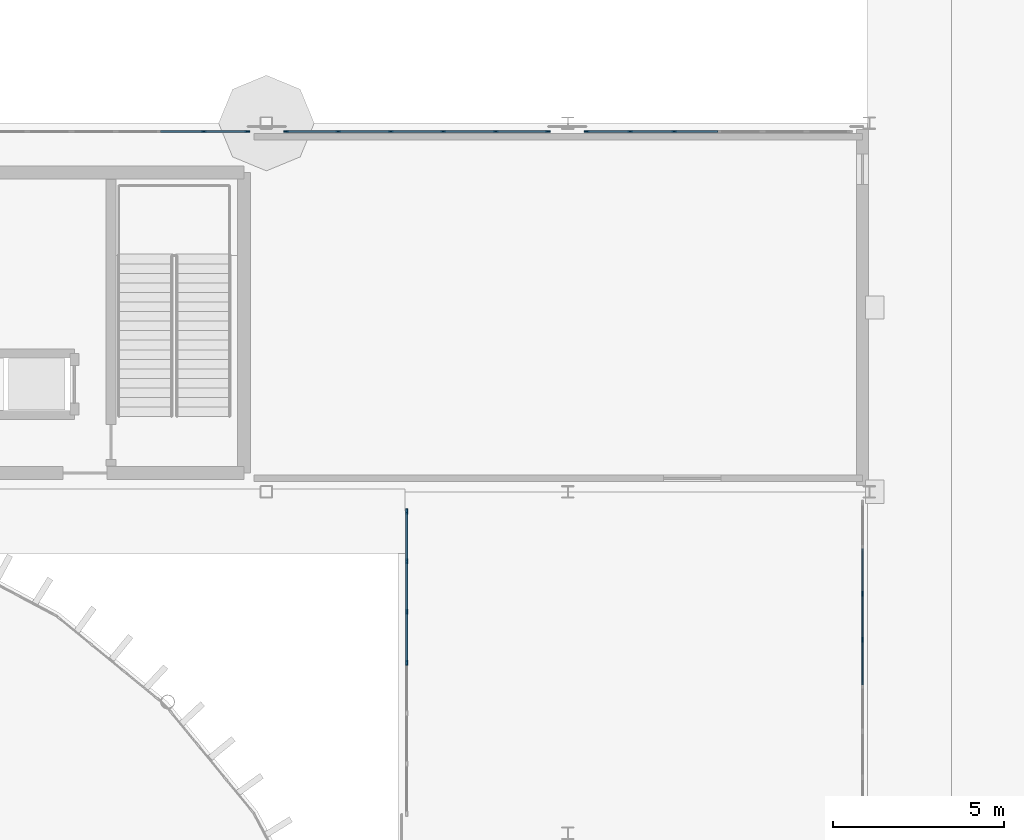
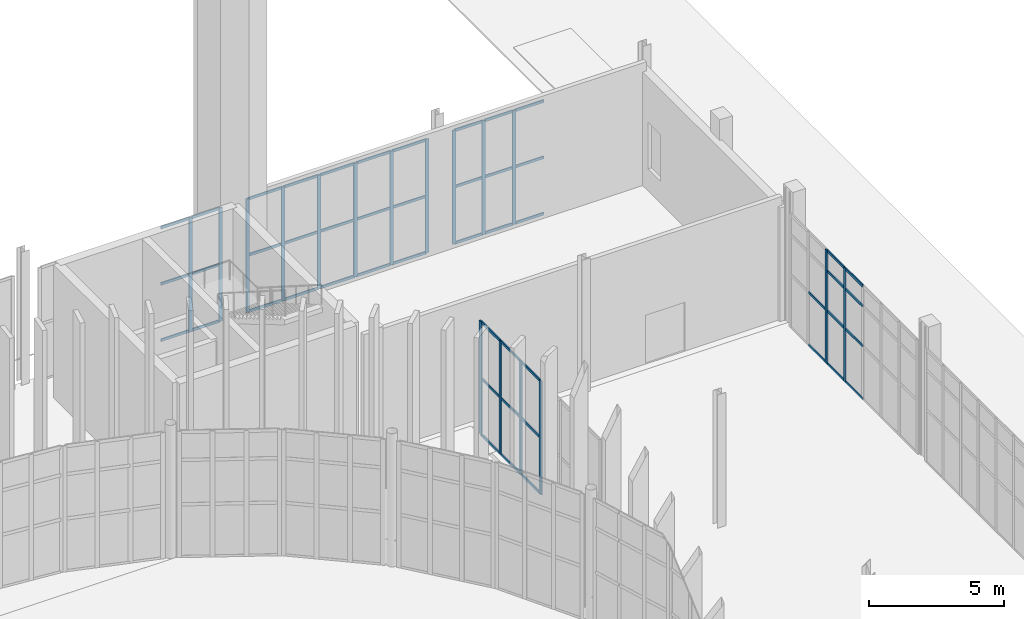
# One storey, part 64 of 139: 66 members, 5 elements without a shape of their own.
"""IFC4 building model written with IfcOpenShell, lengths in metres."""

from ifc_helpers import new_model, si_unit, direction, frame, origin, origin_2d, place, context, subcontext, project, spatial, rectangle, extrude, material, layer, layer_set, material_profile, profile_set, type_object, element, aggregate, save


model = new_model("IFC4")

# Units and contexts
model_context = context("Model", 3, precision=1e-05, world=origin(), true_north=direction((0.0, 1.0)))
body_context = subcontext(model_context, "Body", "Model", "MODEL_VIEW")
ifc_project = project(units=[si_unit("LENGTHUNIT", "METRE"), si_unit("AREAUNIT", "SQUARE_METRE"), si_unit("VOLUMEUNIT", "CUBIC_METRE"), si_unit("PLANEANGLEUNIT", "RADIAN"), si_unit("MASSUNIT", "GRAM", prefix="KILO")], contexts=[model_context])

# Site, building, storey
site_placement = place(None, origin())
site = spatial("IfcSite", under=ifc_project, at=site_placement, CompositionType="ELEMENT")
building_placement = place(site_placement, origin())
building = spatial("IfcBuilding", under=site, at=building_placement, Name="Yeouljin Market Hall", CompositionType="ELEMENT")
storey_placement = place(building_placement, origin())
storey = spatial("IfcBuildingStorey", under=building, at=storey_placement, Name="L00", CompositionType="ELEMENT", Elevation=0.0)

# Curtain wall, members
ifc_material_1 = material(Name="Thermally Broken Aluminium", Category="aluminium")
ifc_layer = layer(ifc_material_1, 0.14990234375)
ifc_layer_set = layer_set([ifc_layer], Name="Thermally Broken Aluminium")
curtain_wall_type = type_object("IfcCurtainWallType", Name="CW_WingStorefront_System", PredefinedType="USERDEFINED", material=ifc_layer_set)
curtain_wall_1_placement = place(storey_placement, origin())
curtain_wall_1 = element("IfcCurtainWall", 1, at=curtain_wall_1_placement, inside=storey, type_object=curtain_wall_type, Name="Curtain wall CW-V3E-L00-2", ObjectType="CURTAIN WALL", PredefinedType="USERDEFINED")
ifc_material_2 = material(Name="Thermally Broken Aluminium", Category="aluminium")
ifc_material_profile_1 = material_profile(ifc_material_2, rectangle(XDim=0.048095703125, YDim=0.14990234375, at=origin_2d()), Name="CW-MULL-48x150")
ifc_profile_set_1 = profile_set([ifc_material_profile_1], Name="Thermally Broken Aluminium")
member_type_1 = type_object("IfcMemberType", Name="CWMullion_48x150", PredefinedType="MULLION", material=ifc_profile_set_1)
member_1_placement = place(storey_placement, frame((176.199951171875, 75.014404296875, 0.0), z_axis=(0.0, 0.0, 1.0), x_axis=(1.0, 0.0, 0.0)))
member_1 = element("IfcMember", 2, at=member_1_placement, type_object=member_type_1, Name="CW-04 mullion 3", PredefinedType="MULLION", context=body_context, shape_type="SweptSolid", body=[
    extrude(rectangle(XDim=0.048095703125, YDim=0.14990234375, at=origin_2d()), origin(), (0.0, 0.0, 1.0), 5.1201171875),
])
member_2_placement = place(storey_placement, frame((176.199951171875, 73.67138671875, 0.0), z_axis=(0.0, 0.0, 1.0), x_axis=(1.0, 0.0, 0.0)))
member_2 = element("IfcMember", 3, at=member_2_placement, type_object=member_type_1, Name="CW-04 mullion 4", PredefinedType="MULLION", context=body_context, shape_type="SweptSolid", body=[
    extrude(rectangle(XDim=0.048095703125, YDim=0.14990234375, at=origin_2d()), origin(), (0.0, 0.0, 1.0), 5.1201171875),
])

curtain_wall_2_placement = place(storey_placement, origin())
curtain_wall_2 = element("IfcCurtainWall", 4, at=curtain_wall_2_placement, inside=storey, type_object=curtain_wall_type, Name="Curtain wall CW-CRT-L00-10", ObjectType="CURTAIN WALL", PredefinedType="USERDEFINED")
member_3_placement = place(storey_placement, frame((156.908447265625, 88.550048828125, 0.0), z_axis=(0.0, 0.0, 1.0), x_axis=(0.0, 1.0, 0.0)))
member_3 = element("IfcMember", 5, at=member_3_placement, type_object=member_type_1, Name="CW-04 mullion 6", PredefinedType="MULLION", context=body_context, shape_type="SweptSolid", body=[
    extrude(rectangle(XDim=0.048095703125, YDim=0.14990234375, at=origin_2d()), origin(), (0.0, 0.0, 1.0), 5.1201171875),
])
member_4_placement = place(storey_placement, frame((158.176025390625, 88.550048828125, 0.0), z_axis=(0.0, 0.0, 1.0), x_axis=(0.0, 1.0, 0.0)))
member_4 = element("IfcMember", 6, at=member_4_placement, type_object=member_type_1, Name="CW-04 mullion 7", PredefinedType="MULLION", context=body_context, shape_type="SweptSolid", body=[
    extrude(rectangle(XDim=0.048095703125, YDim=0.14990234375, at=origin_2d()), origin(), (0.0, 0.0, 1.0), 5.1201171875),
])

curtain_wall_3_placement = place(storey_placement, origin())
curtain_wall_3 = element("IfcCurtainWall", 7, at=curtain_wall_3_placement, inside=storey, type_object=curtain_wall_type, Name="Curtain wall CW-CRT-L00-11", ObjectType="CURTAIN WALL", PredefinedType="USERDEFINED")
member_5_placement = place(storey_placement, frame((159.323974609375, 88.550048828125, 0.0), z_axis=(0.0, 0.0, 1.0), x_axis=(0.0, 1.0, 0.0)))
member_5 = element("IfcMember", 8, at=member_5_placement, type_object=member_type_1, Name="CW-04 mullion 1", PredefinedType="MULLION", context=body_context, shape_type="SweptSolid", body=[
    extrude(rectangle(XDim=0.048095703125, YDim=0.14990234375, at=origin_2d()), origin(), (0.0, 0.0, 1.0), 5.1201171875),
])
member_6_placement = place(storey_placement, frame((160.840087890625, 88.550048828125, 0.0), z_axis=(0.0, 0.0, 1.0), x_axis=(0.0, 1.0, 0.0)))
member_6 = element("IfcMember", 9, at=member_6_placement, type_object=member_type_1, Name="CW-04 mullion 2", PredefinedType="MULLION", context=body_context, shape_type="SweptSolid", body=[
    extrude(rectangle(XDim=0.048095703125, YDim=0.14990234375, at=origin_2d()), origin(), (0.0, 0.0, 1.0), 5.1201171875),
])
member_7_placement = place(storey_placement, frame((162.3798828125, 88.550048828125, 0.0), z_axis=(0.0, 0.0, 1.0), x_axis=(0.0, 1.0, 0.0)))
member_7 = element("IfcMember", 10, at=member_7_placement, type_object=member_type_1, Name="CW-04 mullion 3", PredefinedType="MULLION", context=body_context, shape_type="SweptSolid", body=[
    extrude(rectangle(XDim=0.048095703125, YDim=0.14990234375, at=origin_2d()), origin(), (0.0, 0.0, 1.0), 5.1201171875),
])
member_8_placement = place(storey_placement, frame((163.919921875, 88.550048828125, 0.0), z_axis=(0.0, 0.0, 1.0), x_axis=(0.0, 1.0, 0.0)))
member_8 = element("IfcMember", 11, at=member_8_placement, type_object=member_type_1, Name="CW-04 mullion 4", PredefinedType="MULLION", context=body_context, shape_type="SweptSolid", body=[
    extrude(rectangle(XDim=0.048095703125, YDim=0.14990234375, at=origin_2d()), origin(), (0.0, 0.0, 1.0), 5.1201171875),
])
member_9_placement = place(storey_placement, frame((165.4599609375, 88.550048828125, 0.0), z_axis=(0.0, 0.0, 1.0), x_axis=(0.0, 1.0, 0.0)))
member_9 = element("IfcMember", 12, at=member_9_placement, type_object=member_type_1, Name="CW-04 mullion 5", PredefinedType="MULLION", context=body_context, shape_type="SweptSolid", body=[
    extrude(rectangle(XDim=0.048095703125, YDim=0.14990234375, at=origin_2d()), origin(), (0.0, 0.0, 1.0), 5.1201171875),
])
member_10_placement = place(storey_placement, frame((166.97607421875, 88.550048828125, 0.0), z_axis=(0.0, 0.0, 1.0), x_axis=(0.0, 1.0, 0.0)))
member_10 = element("IfcMember", 13, at=member_10_placement, type_object=member_type_1, Name="CW-04 mullion 6", PredefinedType="MULLION", context=body_context, shape_type="SweptSolid", body=[
    extrude(rectangle(XDim=0.048095703125, YDim=0.14990234375, at=origin_2d()), origin(), (0.0, 0.0, 1.0), 5.1201171875),
])

curtain_wall_4_placement = place(storey_placement, origin())
curtain_wall_4 = element("IfcCurtainWall", 14, at=curtain_wall_4_placement, inside=storey, type_object=curtain_wall_type, Name="Curtain wall CW-CRT-L00-12", ObjectType="CURTAIN WALL", PredefinedType="USERDEFINED")
member_11_placement = place(storey_placement, frame((168.1240234375, 88.550048828125, 0.0), z_axis=(0.0, 0.0, 1.0), x_axis=(0.0, 1.0, 0.0)))
member_11 = element("IfcMember", 15, at=member_11_placement, type_object=member_type_1, Name="CW-04 mullion 1", PredefinedType="MULLION", context=body_context, shape_type="SweptSolid", body=[
    extrude(rectangle(XDim=0.048095703125, YDim=0.14990234375, at=origin_2d()), origin(), (0.0, 0.0, 1.0), 5.1201171875),
])
member_12_placement = place(storey_placement, frame((169.3916015625, 88.550048828125, 0.0), z_axis=(0.0, 0.0, 1.0), x_axis=(0.0, 1.0, 0.0)))
member_12 = element("IfcMember", 16, at=member_12_placement, type_object=member_type_1, Name="CW-04 mullion 2", PredefinedType="MULLION", context=body_context, shape_type="SweptSolid", body=[
    extrude(rectangle(XDim=0.048095703125, YDim=0.14990234375, at=origin_2d()), origin(), (0.0, 0.0, 1.0), 5.1201171875),
])
member_13_placement = place(storey_placement, frame((170.683349609375, 88.550048828125, 0.0), z_axis=(0.0, 0.0, 1.0), x_axis=(0.0, 1.0, 0.0)))
member_13 = element("IfcMember", 17, at=member_13_placement, type_object=member_type_1, Name="CW-04 mullion 3", PredefinedType="MULLION", context=body_context, shape_type="SweptSolid", body=[
    extrude(rectangle(XDim=0.048095703125, YDim=0.14990234375, at=origin_2d()), origin(), (0.0, 0.0, 1.0), 5.1201171875),
])

curtain_wall_5_placement = place(storey_placement, origin())
curtain_wall_5 = element("IfcCurtainWall", 18, at=curtain_wall_5_placement, inside=storey, type_object=curtain_wall_type, Name="Curtain wall CW-CRT-L00-14", ObjectType="CURTAIN WALL", PredefinedType="USERDEFINED")
member_14_placement = place(storey_placement, frame((162.85009765625, 77.426025390625, 0.0), z_axis=(0.0, 0.0, 1.0), x_axis=(1.0, 0.0, 0.0)))
member_14 = element("IfcMember", 19, at=member_14_placement, type_object=member_type_1, Name="CW-04 mullion 1", PredefinedType="MULLION", context=body_context, shape_type="SweptSolid", body=[
    extrude(rectangle(XDim=0.048095703125, YDim=0.14990234375, at=origin_2d()), origin(), (0.0, 0.0, 1.0), 5.1201171875),
])
member_15_placement = place(storey_placement, frame((162.85009765625, 75.966552734375, 0.0), z_axis=(0.0, 0.0, 1.0), x_axis=(1.0, 0.0, 0.0)))
member_15 = element("IfcMember", 20, at=member_15_placement, type_object=member_type_1, Name="CW-04 mullion 2", PredefinedType="MULLION", context=body_context, shape_type="SweptSolid", body=[
    extrude(rectangle(XDim=0.048095703125, YDim=0.14990234375, at=origin_2d()), origin(), (0.0, 0.0, 1.0), 5.1201171875),
])
member_16_placement = place(storey_placement, frame((162.85009765625, 74.4833984375, 0.0), z_axis=(0.0, 0.0, 1.0), x_axis=(1.0, 0.0, 0.0)))
member_16 = element("IfcMember", 21, at=member_16_placement, type_object=member_type_1, Name="CW-04 mullion 3", PredefinedType="MULLION", context=body_context, shape_type="SweptSolid", body=[
    extrude(rectangle(XDim=0.048095703125, YDim=0.14990234375, at=origin_2d()), origin(), (0.0, 0.0, 1.0), 5.1201171875),
])
member_17_placement = place(storey_placement, frame((162.85009765625, 73.0, 0.0), z_axis=(0.0, 0.0, 1.0), x_axis=(1.0, 0.0, 0.0)))
member_17 = element("IfcMember", 22, at=member_17_placement, type_object=member_type_1, Name="CW-04 mullion 4", PredefinedType="MULLION", context=body_context, shape_type="SweptSolid", body=[
    extrude(rectangle(XDim=0.048095703125, YDim=0.14990234375, at=origin_2d()), origin(), (0.0, 0.0, 1.0), 5.1201171875),
])

# Member
ifc_material_3 = material(Name="Thermally Broken Aluminium", Category="aluminium")
ifc_material_profile_2 = material_profile(ifc_material_3, rectangle(XDim=0.048095703125, YDim=0.1201171875, at=origin_2d()), Name="CW-TRAN-48x120")
ifc_profile_set_2 = profile_set([ifc_material_profile_2], Name="Thermally Broken Aluminium")
member_type_2 = type_object("IfcMemberType", Name="CWTransom_48x120", PredefinedType="USERDEFINED", material=ifc_profile_set_2)
member_18_placement = place(storey_placement, frame((176.199951171875, 76.333251953125, 0.02392578125), z_axis=(0.0, -1.0, 0.0), x_axis=(1.0, 0.0, 0.0)))
member_18 = element("IfcMember", 23, at=member_18_placement, type_object=member_type_2, Name="CW-04 transom 2.1", ObjectType="TRANSOM", PredefinedType="USERDEFINED", context=body_context, shape_type="SweptSolid", body=[
    extrude(rectangle(XDim=0.048095703125, YDim=0.1201171875, at=origin_2d()), origin(), (0.0, 0.0, 1.0), 1.294921875),
])

member_19_placement = place(storey_placement, frame((176.199951171875, 76.333251953125, 2.39990234375), z_axis=(0.0, -1.0, 0.0), x_axis=(1.0, 0.0, 0.0)))
member_19 = element("IfcMember", 24, at=member_19_placement, type_object=member_type_2, Name="CW-04 transom 2.2", ObjectType="TRANSOM", PredefinedType="USERDEFINED", context=body_context, shape_type="SweptSolid", body=[
    extrude(rectangle(XDim=0.048095703125, YDim=0.1201171875, at=origin_2d()), origin(), (0.0, 0.0, 1.0), 1.294921875),
])

member_20_placement = place(storey_placement, frame((176.199951171875, 74.990234375, 0.02392578125), z_axis=(0.0, -1.0, 0.0), x_axis=(1.0, 0.0, 0.0)))
member_20 = element("IfcMember", 25, at=member_20_placement, type_object=member_type_2, Name="CW-04 transom 3.1", ObjectType="TRANSOM", PredefinedType="USERDEFINED", context=body_context, shape_type="SweptSolid", body=[
    extrude(rectangle(XDim=0.048095703125, YDim=0.1201171875, at=origin_2d()), origin(), (0.0, 0.0, 1.0), 1.294921875),
])

member_21_placement = place(storey_placement, frame((176.199951171875, 74.990234375, 2.39990234375), z_axis=(0.0, -1.0, 0.0), x_axis=(1.0, 0.0, 0.0)))
member_21 = element("IfcMember", 26, at=member_21_placement, type_object=member_type_2, Name="CW-04 transom 3.2", ObjectType="TRANSOM", PredefinedType="USERDEFINED", context=body_context, shape_type="SweptSolid", body=[
    extrude(rectangle(XDim=0.048095703125, YDim=0.1201171875, at=origin_2d()), origin(), (0.0, 0.0, 1.0), 1.294921875),
])

member_22_placement = place(storey_placement, frame((176.199951171875, 74.990234375, 4.199951171875), z_axis=(0.0, -1.0, 0.0), x_axis=(1.0, 0.0, 0.0)))
member_22 = element("IfcMember", 27, at=member_22_placement, type_object=member_type_2, Name="CW-04 transom 3.3", ObjectType="TRANSOM", PredefinedType="USERDEFINED", context=body_context, shape_type="SweptSolid", body=[
    extrude(rectangle(XDim=0.048095703125, YDim=0.1201171875, at=origin_2d()), origin(), (0.0, 0.0, 1.0), 1.294921875),
])

member_23_placement = place(storey_placement, frame((176.199951171875, 74.990234375, 5.095947265625), z_axis=(0.0, -1.0, 0.0), x_axis=(1.0, 0.0, 0.0)))
member_23 = element("IfcMember", 28, at=member_23_placement, type_object=member_type_2, Name="CW-04 transom 3.4", ObjectType="TRANSOM", PredefinedType="USERDEFINED", context=body_context, shape_type="SweptSolid", body=[
    extrude(rectangle(XDim=0.048095703125, YDim=0.1201171875, at=origin_2d()), origin(), (0.0, 0.0, 1.0), 1.294921875),
])

member_24_placement = place(storey_placement, frame((176.199951171875, 73.6474609375, 0.02392578125), z_axis=(0.0, -1.0, 0.0), x_axis=(1.0, 0.0, 0.0)))
member_24 = element("IfcMember", 29, at=member_24_placement, type_object=member_type_2, Name="CW-04 transom 4.1", ObjectType="TRANSOM", PredefinedType="USERDEFINED", context=body_context, shape_type="SweptSolid", body=[
    extrude(rectangle(XDim=0.048095703125, YDim=0.1201171875, at=origin_2d()), origin(), (0.0, 0.0, 1.0), 1.294921875),
])

member_25_placement = place(storey_placement, frame((176.199951171875, 73.6474609375, 2.39990234375), z_axis=(0.0, -1.0, 0.0), x_axis=(1.0, 0.0, 0.0)))
member_25 = element("IfcMember", 30, at=member_25_placement, type_object=member_type_2, Name="CW-04 transom 4.2", ObjectType="TRANSOM", PredefinedType="USERDEFINED", context=body_context, shape_type="SweptSolid", body=[
    extrude(rectangle(XDim=0.048095703125, YDim=0.1201171875, at=origin_2d()), origin(), (0.0, 0.0, 1.0), 1.294921875),
])

member_26_placement = place(storey_placement, frame((176.199951171875, 73.6474609375, 4.199951171875), z_axis=(0.0, -1.0, 0.0), x_axis=(1.0, 0.0, 0.0)))
member_26 = element("IfcMember", 31, at=member_26_placement, type_object=member_type_2, Name="CW-04 transom 4.3", ObjectType="TRANSOM", PredefinedType="USERDEFINED", context=body_context, shape_type="SweptSolid", body=[
    extrude(rectangle(XDim=0.048095703125, YDim=0.1201171875, at=origin_2d()), origin(), (0.0, 0.0, 1.0), 1.294921875),
])

member_27_placement = place(storey_placement, frame((176.199951171875, 73.6474609375, 5.095947265625), z_axis=(0.0, -1.0, 0.0), x_axis=(1.0, 0.0, 0.0)))
member_27 = element("IfcMember", 32, at=member_27_placement, type_object=member_type_2, Name="CW-04 transom 4.4", ObjectType="TRANSOM", PredefinedType="USERDEFINED", context=body_context, shape_type="SweptSolid", body=[
    extrude(rectangle(XDim=0.048095703125, YDim=0.1201171875, at=origin_2d()), origin(), (0.0, 0.0, 1.0), 1.294921875),
])

aggregate(curtain_wall_1, [member_1, member_2, member_18, member_19, member_20, member_21, member_22, member_23, member_24, member_25, member_26, member_27])

member_28_placement = place(storey_placement, frame((155.640625, 88.550048828125, 0.02392578125), z_axis=(1.0, 0.0, 0.0), x_axis=(0.0, 1.0, 0.0)))
member_28 = element("IfcMember", 33, at=member_28_placement, type_object=member_type_2, Name="CW-04 transom 5.1", ObjectType="TRANSOM", PredefinedType="USERDEFINED", context=body_context, shape_type="SweptSolid", body=[
    extrude(rectangle(XDim=0.048095703125, YDim=0.1201171875, at=origin_2d()), origin(), (0.0, 0.0, 1.0), 1.24365234375),
])

member_29_placement = place(storey_placement, frame((155.640625, 88.550048828125, 2.56005859375), z_axis=(1.0, 0.0, 0.0), x_axis=(0.0, 1.0, 0.0)))
member_29 = element("IfcMember", 34, at=member_29_placement, type_object=member_type_2, Name="CW-04 transom 5.2", ObjectType="TRANSOM", PredefinedType="USERDEFINED", context=body_context, shape_type="SweptSolid", body=[
    extrude(rectangle(XDim=0.048095703125, YDim=0.1201171875, at=origin_2d()), origin(), (0.0, 0.0, 1.0), 1.24365234375),
])

member_30_placement = place(storey_placement, frame((155.640625, 88.550048828125, 5.095947265625), z_axis=(1.0, 0.0, 0.0), x_axis=(0.0, 1.0, 0.0)))
member_30 = element("IfcMember", 35, at=member_30_placement, type_object=member_type_2, Name="CW-04 transom 5.3", ObjectType="TRANSOM", PredefinedType="USERDEFINED", context=body_context, shape_type="SweptSolid", body=[
    extrude(rectangle(XDim=0.048095703125, YDim=0.1201171875, at=origin_2d()), origin(), (0.0, 0.0, 1.0), 1.24365234375),
])

member_31_placement = place(storey_placement, frame((156.932373046875, 88.550048828125, 0.02392578125), z_axis=(1.0, 0.0, 0.0), x_axis=(0.0, 1.0, 0.0)))
member_31 = element("IfcMember", 36, at=member_31_placement, type_object=member_type_2, Name="CW-04 transom 6.1", ObjectType="TRANSOM", PredefinedType="USERDEFINED", context=body_context, shape_type="SweptSolid", body=[
    extrude(rectangle(XDim=0.048095703125, YDim=0.1201171875, at=origin_2d()), origin(), (0.0, 0.0, 1.0), 1.2197265625),
])

member_32_placement = place(storey_placement, frame((156.932373046875, 88.550048828125, 2.56005859375), z_axis=(1.0, 0.0, 0.0), x_axis=(0.0, 1.0, 0.0)))
member_32 = element("IfcMember", 37, at=member_32_placement, type_object=member_type_2, Name="CW-04 transom 6.2", ObjectType="TRANSOM", PredefinedType="USERDEFINED", context=body_context, shape_type="SweptSolid", body=[
    extrude(rectangle(XDim=0.048095703125, YDim=0.1201171875, at=origin_2d()), origin(), (0.0, 0.0, 1.0), 1.2197265625),
])

member_33_placement = place(storey_placement, frame((156.932373046875, 88.550048828125, 5.095947265625), z_axis=(1.0, 0.0, 0.0), x_axis=(0.0, 1.0, 0.0)))
member_33 = element("IfcMember", 38, at=member_33_placement, type_object=member_type_2, Name="CW-04 transom 6.3", ObjectType="TRANSOM", PredefinedType="USERDEFINED", context=body_context, shape_type="SweptSolid", body=[
    extrude(rectangle(XDim=0.048095703125, YDim=0.1201171875, at=origin_2d()), origin(), (0.0, 0.0, 1.0), 1.2197265625),
])

aggregate(curtain_wall_2, [member_3, member_4, member_28, member_29, member_30, member_31, member_32, member_33])

member_34_placement = place(storey_placement, frame((159.347900390625, 88.550048828125, 0.02392578125), z_axis=(1.0, 0.0, 0.0), x_axis=(0.0, 1.0, 0.0)))
member_34 = element("IfcMember", 39, at=member_34_placement, type_object=member_type_2, Name="CW-04 transom 1.1", ObjectType="TRANSOM", PredefinedType="USERDEFINED", context=body_context, shape_type="SweptSolid", body=[
    extrude(rectangle(XDim=0.048095703125, YDim=0.1201171875, at=origin_2d()), origin(), (0.0, 0.0, 1.0), 1.468017578125),
])

member_35_placement = place(storey_placement, frame((159.347900390625, 88.550048828125, 2.56005859375), z_axis=(1.0, 0.0, 0.0), x_axis=(0.0, 1.0, 0.0)))
member_35 = element("IfcMember", 40, at=member_35_placement, type_object=member_type_2, Name="CW-04 transom 1.2", ObjectType="TRANSOM", PredefinedType="USERDEFINED", context=body_context, shape_type="SweptSolid", body=[
    extrude(rectangle(XDim=0.048095703125, YDim=0.1201171875, at=origin_2d()), origin(), (0.0, 0.0, 1.0), 1.468017578125),
])

member_36_placement = place(storey_placement, frame((159.347900390625, 88.550048828125, 5.095947265625), z_axis=(1.0, 0.0, 0.0), x_axis=(0.0, 1.0, 0.0)))
member_36 = element("IfcMember", 41, at=member_36_placement, type_object=member_type_2, Name="CW-04 transom 1.3", ObjectType="TRANSOM", PredefinedType="USERDEFINED", context=body_context, shape_type="SweptSolid", body=[
    extrude(rectangle(XDim=0.048095703125, YDim=0.1201171875, at=origin_2d()), origin(), (0.0, 0.0, 1.0), 1.468017578125),
])

member_37_placement = place(storey_placement, frame((160.864013671875, 88.550048828125, 0.02392578125), z_axis=(1.0, 0.0, 0.0), x_axis=(0.0, 1.0, 0.0)))
member_37 = element("IfcMember", 42, at=member_37_placement, type_object=member_type_2, Name="CW-04 transom 2.1", ObjectType="TRANSOM", PredefinedType="USERDEFINED", context=body_context, shape_type="SweptSolid", body=[
    extrude(rectangle(XDim=0.048095703125, YDim=0.1201171875, at=origin_2d()), origin(), (0.0, 0.0, 1.0), 1.491943359375),
])

member_38_placement = place(storey_placement, frame((160.864013671875, 88.550048828125, 2.56005859375), z_axis=(1.0, 0.0, 0.0), x_axis=(0.0, 1.0, 0.0)))
member_38 = element("IfcMember", 43, at=member_38_placement, type_object=member_type_2, Name="CW-04 transom 2.2", ObjectType="TRANSOM", PredefinedType="USERDEFINED", context=body_context, shape_type="SweptSolid", body=[
    extrude(rectangle(XDim=0.048095703125, YDim=0.1201171875, at=origin_2d()), origin(), (0.0, 0.0, 1.0), 1.491943359375),
])

member_39_placement = place(storey_placement, frame((160.864013671875, 88.550048828125, 5.095947265625), z_axis=(1.0, 0.0, 0.0), x_axis=(0.0, 1.0, 0.0)))
member_39 = element("IfcMember", 44, at=member_39_placement, type_object=member_type_2, Name="CW-04 transom 2.3", ObjectType="TRANSOM", PredefinedType="USERDEFINED", context=body_context, shape_type="SweptSolid", body=[
    extrude(rectangle(XDim=0.048095703125, YDim=0.1201171875, at=origin_2d()), origin(), (0.0, 0.0, 1.0), 1.491943359375),
])

member_40_placement = place(storey_placement, frame((162.404052734375, 88.550048828125, 0.02392578125), z_axis=(1.0, 0.0, 0.0), x_axis=(0.0, 1.0, 0.0)))
member_40 = element("IfcMember", 45, at=member_40_placement, type_object=member_type_2, Name="CW-04 transom 3.1", ObjectType="TRANSOM", PredefinedType="USERDEFINED", context=body_context, shape_type="SweptSolid", body=[
    extrude(rectangle(XDim=0.048095703125, YDim=0.1201171875, at=origin_2d()), origin(), (0.0, 0.0, 1.0), 1.491943359375),
])

member_41_placement = place(storey_placement, frame((162.404052734375, 88.550048828125, 2.56005859375), z_axis=(1.0, 0.0, 0.0), x_axis=(0.0, 1.0, 0.0)))
member_41 = element("IfcMember", 46, at=member_41_placement, type_object=member_type_2, Name="CW-04 transom 3.2", ObjectType="TRANSOM", PredefinedType="USERDEFINED", context=body_context, shape_type="SweptSolid", body=[
    extrude(rectangle(XDim=0.048095703125, YDim=0.1201171875, at=origin_2d()), origin(), (0.0, 0.0, 1.0), 1.491943359375),
])

member_42_placement = place(storey_placement, frame((162.404052734375, 88.550048828125, 5.095947265625), z_axis=(1.0, 0.0, 0.0), x_axis=(0.0, 1.0, 0.0)))
member_42 = element("IfcMember", 47, at=member_42_placement, type_object=member_type_2, Name="CW-04 transom 3.3", ObjectType="TRANSOM", PredefinedType="USERDEFINED", context=body_context, shape_type="SweptSolid", body=[
    extrude(rectangle(XDim=0.048095703125, YDim=0.1201171875, at=origin_2d()), origin(), (0.0, 0.0, 1.0), 1.491943359375),
])

member_43_placement = place(storey_placement, frame((163.944091796875, 88.550048828125, 0.02392578125), z_axis=(1.0, 0.0, 0.0), x_axis=(0.0, 1.0, 0.0)))
member_43 = element("IfcMember", 48, at=member_43_placement, type_object=member_type_2, Name="CW-04 transom 4.1", ObjectType="TRANSOM", PredefinedType="USERDEFINED", context=body_context, shape_type="SweptSolid", body=[
    extrude(rectangle(XDim=0.048095703125, YDim=0.1201171875, at=origin_2d()), origin(), (0.0, 0.0, 1.0), 1.491943359375),
])

member_44_placement = place(storey_placement, frame((163.944091796875, 88.550048828125, 2.56005859375), z_axis=(1.0, 0.0, 0.0), x_axis=(0.0, 1.0, 0.0)))
member_44 = element("IfcMember", 49, at=member_44_placement, type_object=member_type_2, Name="CW-04 transom 4.2", ObjectType="TRANSOM", PredefinedType="USERDEFINED", context=body_context, shape_type="SweptSolid", body=[
    extrude(rectangle(XDim=0.048095703125, YDim=0.1201171875, at=origin_2d()), origin(), (0.0, 0.0, 1.0), 1.491943359375),
])

member_45_placement = place(storey_placement, frame((163.944091796875, 88.550048828125, 5.095947265625), z_axis=(1.0, 0.0, 0.0), x_axis=(0.0, 1.0, 0.0)))
member_45 = element("IfcMember", 50, at=member_45_placement, type_object=member_type_2, Name="CW-04 transom 4.3", ObjectType="TRANSOM", PredefinedType="USERDEFINED", context=body_context, shape_type="SweptSolid", body=[
    extrude(rectangle(XDim=0.048095703125, YDim=0.1201171875, at=origin_2d()), origin(), (0.0, 0.0, 1.0), 1.491943359375),
])

member_46_placement = place(storey_placement, frame((165.48388671875, 88.550048828125, 0.02392578125), z_axis=(1.0, 0.0, 0.0), x_axis=(0.0, 1.0, 0.0)))
member_46 = element("IfcMember", 51, at=member_46_placement, type_object=member_type_2, Name="CW-04 transom 5.1", ObjectType="TRANSOM", PredefinedType="USERDEFINED", context=body_context, shape_type="SweptSolid", body=[
    extrude(rectangle(XDim=0.048095703125, YDim=0.1201171875, at=origin_2d()), origin(), (0.0, 0.0, 1.0), 1.468017578125),
])

member_47_placement = place(storey_placement, frame((165.48388671875, 88.550048828125, 2.56005859375), z_axis=(1.0, 0.0, 0.0), x_axis=(0.0, 1.0, 0.0)))
member_47 = element("IfcMember", 52, at=member_47_placement, type_object=member_type_2, Name="CW-04 transom 5.2", ObjectType="TRANSOM", PredefinedType="USERDEFINED", context=body_context, shape_type="SweptSolid", body=[
    extrude(rectangle(XDim=0.048095703125, YDim=0.1201171875, at=origin_2d()), origin(), (0.0, 0.0, 1.0), 1.468017578125),
])

member_48_placement = place(storey_placement, frame((165.48388671875, 88.550048828125, 5.095947265625), z_axis=(1.0, 0.0, 0.0), x_axis=(0.0, 1.0, 0.0)))
member_48 = element("IfcMember", 53, at=member_48_placement, type_object=member_type_2, Name="CW-04 transom 5.3", ObjectType="TRANSOM", PredefinedType="USERDEFINED", context=body_context, shape_type="SweptSolid", body=[
    extrude(rectangle(XDim=0.048095703125, YDim=0.1201171875, at=origin_2d()), origin(), (0.0, 0.0, 1.0), 1.468017578125),
])

aggregate(curtain_wall_3, [member_5, member_6, member_7, member_8, member_9, member_10, member_34, member_35, member_36, member_37, member_38, member_39, member_40, member_41, member_42, member_43, member_44, member_45, member_46, member_47, member_48])

member_49_placement = place(storey_placement, frame((168.14794921875, 88.550048828125, 0.02392578125), z_axis=(1.0, 0.0, 0.0), x_axis=(0.0, 1.0, 0.0)))
member_49 = element("IfcMember", 54, at=member_49_placement, type_object=member_type_2, Name="CW-04 transom 1.1", ObjectType="TRANSOM", PredefinedType="USERDEFINED", context=body_context, shape_type="SweptSolid", body=[
    extrude(rectangle(XDim=0.048095703125, YDim=0.1201171875, at=origin_2d()), origin(), (0.0, 0.0, 1.0), 1.2197265625),
])

member_50_placement = place(storey_placement, frame((168.14794921875, 88.550048828125, 2.56005859375), z_axis=(1.0, 0.0, 0.0), x_axis=(0.0, 1.0, 0.0)))
member_50 = element("IfcMember", 55, at=member_50_placement, type_object=member_type_2, Name="CW-04 transom 1.2", ObjectType="TRANSOM", PredefinedType="USERDEFINED", context=body_context, shape_type="SweptSolid", body=[
    extrude(rectangle(XDim=0.048095703125, YDim=0.1201171875, at=origin_2d()), origin(), (0.0, 0.0, 1.0), 1.2197265625),
])

member_51_placement = place(storey_placement, frame((168.14794921875, 88.550048828125, 5.095947265625), z_axis=(1.0, 0.0, 0.0), x_axis=(0.0, 1.0, 0.0)))
member_51 = element("IfcMember", 56, at=member_51_placement, type_object=member_type_2, Name="CW-04 transom 1.3", ObjectType="TRANSOM", PredefinedType="USERDEFINED", context=body_context, shape_type="SweptSolid", body=[
    extrude(rectangle(XDim=0.048095703125, YDim=0.1201171875, at=origin_2d()), origin(), (0.0, 0.0, 1.0), 1.2197265625),
])

member_52_placement = place(storey_placement, frame((169.415771484375, 88.550048828125, 0.02392578125), z_axis=(1.0, 0.0, 0.0), x_axis=(0.0, 1.0, 0.0)))
member_52 = element("IfcMember", 57, at=member_52_placement, type_object=member_type_2, Name="CW-04 transom 2.1", ObjectType="TRANSOM", PredefinedType="USERDEFINED", context=body_context, shape_type="SweptSolid", body=[
    extrude(rectangle(XDim=0.048095703125, YDim=0.1201171875, at=origin_2d()), origin(), (0.0, 0.0, 1.0), 1.24365234375),
])

member_53_placement = place(storey_placement, frame((169.415771484375, 88.550048828125, 2.56005859375), z_axis=(1.0, 0.0, 0.0), x_axis=(0.0, 1.0, 0.0)))
member_53 = element("IfcMember", 58, at=member_53_placement, type_object=member_type_2, Name="CW-04 transom 2.2", ObjectType="TRANSOM", PredefinedType="USERDEFINED", context=body_context, shape_type="SweptSolid", body=[
    extrude(rectangle(XDim=0.048095703125, YDim=0.1201171875, at=origin_2d()), origin(), (0.0, 0.0, 1.0), 1.24365234375),
])

member_54_placement = place(storey_placement, frame((169.415771484375, 88.550048828125, 5.095947265625), z_axis=(1.0, 0.0, 0.0), x_axis=(0.0, 1.0, 0.0)))
member_54 = element("IfcMember", 59, at=member_54_placement, type_object=member_type_2, Name="CW-04 transom 2.3", ObjectType="TRANSOM", PredefinedType="USERDEFINED", context=body_context, shape_type="SweptSolid", body=[
    extrude(rectangle(XDim=0.048095703125, YDim=0.1201171875, at=origin_2d()), origin(), (0.0, 0.0, 1.0), 1.24365234375),
])

member_55_placement = place(storey_placement, frame((170.707275390625, 88.550048828125, 0.02392578125), z_axis=(1.0, 0.0, 0.0), x_axis=(0.0, 1.0, 0.0)))
member_55 = element("IfcMember", 60, at=member_55_placement, type_object=member_type_2, Name="CW-04 transom 3.1", ObjectType="TRANSOM", PredefinedType="USERDEFINED", context=body_context, shape_type="SweptSolid", body=[
    extrude(rectangle(XDim=0.048095703125, YDim=0.1201171875, at=origin_2d()), origin(), (0.0, 0.0, 1.0), 1.24365234375),
])

member_56_placement = place(storey_placement, frame((170.707275390625, 88.550048828125, 2.56005859375), z_axis=(1.0, 0.0, 0.0), x_axis=(0.0, 1.0, 0.0)))
member_56 = element("IfcMember", 61, at=member_56_placement, type_object=member_type_2, Name="CW-04 transom 3.2", ObjectType="TRANSOM", PredefinedType="USERDEFINED", context=body_context, shape_type="SweptSolid", body=[
    extrude(rectangle(XDim=0.048095703125, YDim=0.1201171875, at=origin_2d()), origin(), (0.0, 0.0, 1.0), 1.24365234375),
])

member_57_placement = place(storey_placement, frame((170.707275390625, 88.550048828125, 5.095947265625), z_axis=(1.0, 0.0, 0.0), x_axis=(0.0, 1.0, 0.0)))
member_57 = element("IfcMember", 62, at=member_57_placement, type_object=member_type_2, Name="CW-04 transom 3.3", ObjectType="TRANSOM", PredefinedType="USERDEFINED", context=body_context, shape_type="SweptSolid", body=[
    extrude(rectangle(XDim=0.048095703125, YDim=0.1201171875, at=origin_2d()), origin(), (0.0, 0.0, 1.0), 1.24365234375),
])

aggregate(curtain_wall_4, [member_11, member_12, member_13, member_49, member_50, member_51, member_52, member_53, member_54, member_55, member_56, member_57])

member_58_placement = place(storey_placement, frame((162.85009765625, 77.402099609375, 0.02392578125), z_axis=(0.0, -1.0, 0.0), x_axis=(1.0, 0.0, 0.0)))
member_58 = element("IfcMember", 63, at=member_58_placement, type_object=member_type_2, Name="CW-04 transom 1.1", ObjectType="TRANSOM", PredefinedType="USERDEFINED", context=body_context, shape_type="SweptSolid", body=[
    extrude(rectangle(XDim=0.048095703125, YDim=0.1201171875, at=origin_2d()), origin(), (0.0, 0.0, 1.0), 1.411376953125),
])

member_59_placement = place(storey_placement, frame((162.85009765625, 77.402099609375, 2.56005859375), z_axis=(0.0, -1.0, 0.0), x_axis=(1.0, 0.0, 0.0)))
member_59 = element("IfcMember", 64, at=member_59_placement, type_object=member_type_2, Name="CW-04 transom 1.2", ObjectType="TRANSOM", PredefinedType="USERDEFINED", context=body_context, shape_type="SweptSolid", body=[
    extrude(rectangle(XDim=0.048095703125, YDim=0.1201171875, at=origin_2d()), origin(), (0.0, 0.0, 1.0), 1.411376953125),
])

member_60_placement = place(storey_placement, frame((162.85009765625, 77.402099609375, 5.095947265625), z_axis=(0.0, -1.0, 0.0), x_axis=(1.0, 0.0, 0.0)))
member_60 = element("IfcMember", 65, at=member_60_placement, type_object=member_type_2, Name="CW-04 transom 1.3", ObjectType="TRANSOM", PredefinedType="USERDEFINED", context=body_context, shape_type="SweptSolid", body=[
    extrude(rectangle(XDim=0.048095703125, YDim=0.1201171875, at=origin_2d()), origin(), (0.0, 0.0, 1.0), 1.411376953125),
])

member_61_placement = place(storey_placement, frame((162.85009765625, 75.942626953125, 0.02392578125), z_axis=(0.0, -1.0, 0.0), x_axis=(1.0, 0.0, 0.0)))
member_61 = element("IfcMember", 66, at=member_61_placement, type_object=member_type_2, Name="CW-04 transom 2.1", ObjectType="TRANSOM", PredefinedType="USERDEFINED", context=body_context, shape_type="SweptSolid", body=[
    extrude(rectangle(XDim=0.048095703125, YDim=0.1201171875, at=origin_2d()), origin(), (0.0, 0.0, 1.0), 1.435302734375),
])

member_62_placement = place(storey_placement, frame((162.85009765625, 75.942626953125, 2.56005859375), z_axis=(0.0, -1.0, 0.0), x_axis=(1.0, 0.0, 0.0)))
member_62 = element("IfcMember", 67, at=member_62_placement, type_object=member_type_2, Name="CW-04 transom 2.2", ObjectType="TRANSOM", PredefinedType="USERDEFINED", context=body_context, shape_type="SweptSolid", body=[
    extrude(rectangle(XDim=0.048095703125, YDim=0.1201171875, at=origin_2d()), origin(), (0.0, 0.0, 1.0), 1.435302734375),
])

member_63_placement = place(storey_placement, frame((162.85009765625, 75.942626953125, 5.095947265625), z_axis=(0.0, -1.0, 0.0), x_axis=(1.0, 0.0, 0.0)))
member_63 = element("IfcMember", 68, at=member_63_placement, type_object=member_type_2, Name="CW-04 transom 2.3", ObjectType="TRANSOM", PredefinedType="USERDEFINED", context=body_context, shape_type="SweptSolid", body=[
    extrude(rectangle(XDim=0.048095703125, YDim=0.1201171875, at=origin_2d()), origin(), (0.0, 0.0, 1.0), 1.435302734375),
])

member_64_placement = place(storey_placement, frame((162.85009765625, 74.459228515625, 0.02392578125), z_axis=(0.0, -1.0, 0.0), x_axis=(1.0, 0.0, 0.0)))
member_64 = element("IfcMember", 69, at=member_64_placement, type_object=member_type_2, Name="CW-04 transom 3.1", ObjectType="TRANSOM", PredefinedType="USERDEFINED", context=body_context, shape_type="SweptSolid", body=[
    extrude(rectangle(XDim=0.048095703125, YDim=0.1201171875, at=origin_2d()), origin(), (0.0, 0.0, 1.0), 1.435302734375),
])

member_65_placement = place(storey_placement, frame((162.85009765625, 74.459228515625, 2.56005859375), z_axis=(0.0, -1.0, 0.0), x_axis=(1.0, 0.0, 0.0)))
member_65 = element("IfcMember", 70, at=member_65_placement, type_object=member_type_2, Name="CW-04 transom 3.2", ObjectType="TRANSOM", PredefinedType="USERDEFINED", context=body_context, shape_type="SweptSolid", body=[
    extrude(rectangle(XDim=0.048095703125, YDim=0.1201171875, at=origin_2d()), origin(), (0.0, 0.0, 1.0), 1.435302734375),
])

member_66_placement = place(storey_placement, frame((162.85009765625, 74.459228515625, 5.095947265625), z_axis=(0.0, -1.0, 0.0), x_axis=(1.0, 0.0, 0.0)))
member_66 = element("IfcMember", 71, at=member_66_placement, type_object=member_type_2, Name="CW-04 transom 3.3", ObjectType="TRANSOM", PredefinedType="USERDEFINED", context=body_context, shape_type="SweptSolid", body=[
    extrude(rectangle(XDim=0.048095703125, YDim=0.1201171875, at=origin_2d()), origin(), (0.0, 0.0, 1.0), 1.435302734375),
])

aggregate(curtain_wall_5, [member_14, member_15, member_16, member_17, member_58, member_59, member_60, member_61, member_62, member_63, member_64, member_65, member_66])

save(model, "model.ifc")
